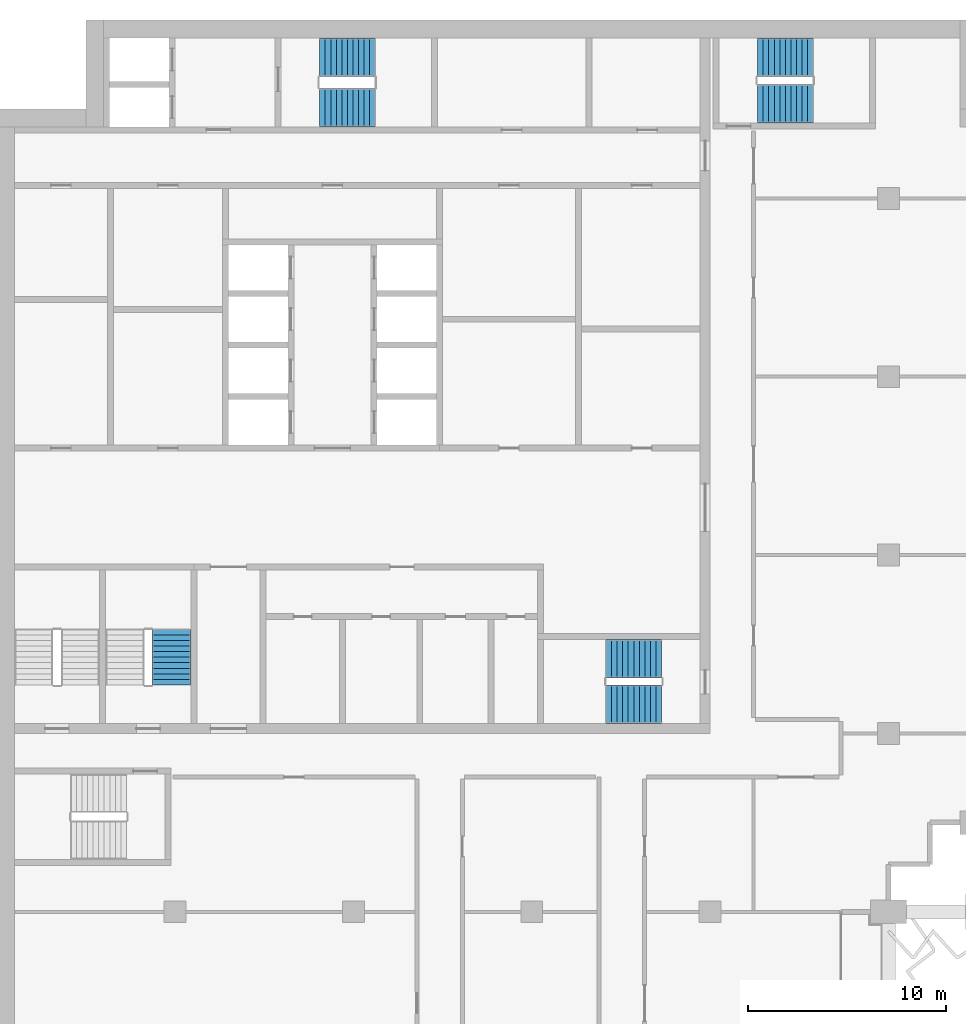
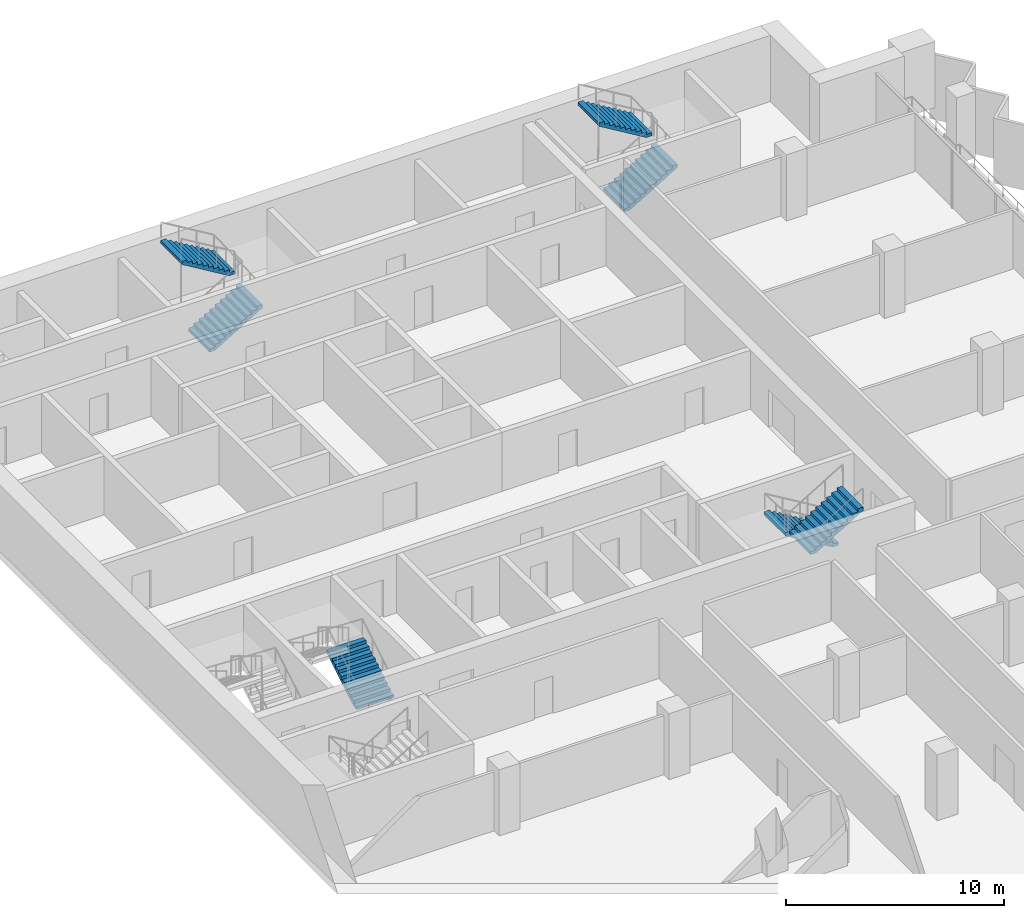
# One storey, part 13 of 17: 7 stair flights, 4 elements without a shape of their own.
"""IFC4 building model written with IfcOpenShell, lengths in metres."""

from ifc_helpers import new_model, si_unit, direction, frame, origin, place, context, subcontext, project, spatial, polyline, outline, extrude, material, type_object, element, aggregate, save


model = new_model("IFC4")

# Units and contexts
model_context = context("Model", 3, precision=1e-05, world=origin(), true_north=direction((0.0, 1.0)))
body_context = subcontext(model_context, "Body", "Model", "MODEL_VIEW")
ifc_project = project(units=[si_unit("LENGTHUNIT", "METRE"), si_unit("AREAUNIT", "SQUARE_METRE"), si_unit("VOLUMEUNIT", "CUBIC_METRE"), si_unit("PLANEANGLEUNIT", "RADIAN"), si_unit("MASSUNIT", "GRAM", prefix="KILO")], contexts=[model_context])

# Site, building, storey
site_placement = place(None, origin())
site = spatial("IfcSite", under=ifc_project, at=site_placement, CompositionType="ELEMENT")
building_placement = place(site_placement, origin())
building = spatial("IfcBuilding", under=site, at=building_placement, Name="Hunhe Ridgeline Campus", CompositionType="ELEMENT")
storey_placement = place(building_placement, frame((0.0, 0.0, 212.39990234375)))
storey = spatial("IfcBuildingStorey", under=building, at=storey_placement, Name="L54", CompositionType="ELEMENT", Elevation=212.39990234375)

# Stair, stair flights
ifc_material = material(Name="Concrete C40", Category="concrete")
stair_type = type_object("IfcStairType", Name="Reinforced concrete dog-leg stair 1950 Concrete C40", PredefinedType="HALF_TURN_STAIR", material=ifc_material)
stair_1_placement = place(storey_placement, origin())
stair_1 = element("IfcStair", 1, at=stair_1_placement, inside=storey, type_object=stair_type, Name="L54 S1", PredefinedType="HALF_TURN_STAIR")
stair_flight_type = type_object("IfcStairFlightType", Name="Reinforced concrete stair flight 1950 Concrete C40", PredefinedType="STRAIGHT", material=ifc_material)
stair_flight_1_placement = place(storey_placement, frame((16.300048828125, 94.574951171875, 0.0), z_axis=(0.0, 0.0, 1.0), x_axis=(1.0, 0.0, 0.0)))
stair_flight_1 = element("IfcStairFlight", 2, at=stair_flight_1_placement, type_object=stair_flight_type, Name="ST1 flight 1", NumberOfRisers=11, NumberOfTreads=10, PredefinedType="STRAIGHT", RiserHeight=0.168181818, TreadLength=0.28, context=body_context, shape_type="SweptSolid", body=[
    extrude(outline(polyline([(0.0, 0.0), (0.0, 0.168212890625), (0.280029296875, 0.168212890625), (0.280029296875, 0.33642578125), (0.56005859375, 0.33642578125), (0.56005859375, 0.504638671875), (0.840087890625, 0.504638671875), (0.840087890625, 0.672607421875), (1.1201171875, 0.672607421875), (1.1201171875, 0.8408203125), (1.39990234375, 0.8408203125), (1.39990234375, 1.009033203125), (1.679931640625, 1.009033203125), (1.679931640625, 1.17724609375), (1.9599609375, 1.17724609375), (1.9599609375, 1.345458984375), (2.239990234375, 1.345458984375), (2.239990234375, 1.513671875), (2.52001953125, 1.513671875), (2.52001953125, 1.681884765625), (2.800048828125, 1.681884765625), (2.800048828125, 1.85009765625), (2.800048828125, 1.5068359375), (0.291015625, 0.0), (0.0, 0.0)])), frame((0.0, 0.97509765625, 0.0), z_axis=(0.0, -1.0, 0.0), x_axis=(1.0, 0.0, 0.0)), (0.0, 0.0, 1.0), 1.949951171875),
    extrude(outline(polyline([(0.030029296875, 0.030029296875), (0.030029296875, 0.13818359375), (0.31005859375, 0.13818359375), (0.31005859375, 0.306396484375), (0.590087890625, 0.306396484375), (0.590087890625, 0.474609375), (0.8701171875, 0.474609375), (0.8701171875, 0.642578125), (1.14990234375, 0.642578125), (1.14990234375, 0.810791015625), (1.429931640625, 0.810791015625), (1.429931640625, 0.97900390625), (1.7099609375, 0.97900390625), (1.7099609375, 1.147216796875), (1.989990234375, 1.147216796875), (1.989990234375, 1.3154296875), (2.27001953125, 1.3154296875), (2.27001953125, 1.483642578125), (2.550048828125, 1.483642578125), (2.550048828125, 1.65185546875), (2.77001953125, 1.65185546875), (2.77001953125, 1.52392578125), (0.28271484375, 0.030029296875), (0.030029296875, 0.030029296875)])), frame((0.0, -0.070068359375, 0.0), z_axis=(0.0, -1.0, 0.0), x_axis=(1.0, 0.0, 0.0)), (0.0, 0.0, 1.0), 0.019775390625),
    extrude(outline(polyline([(0.030029296875, 0.030029296875), (0.030029296875, 0.13818359375), (0.31005859375, 0.13818359375), (0.31005859375, 0.306396484375), (0.590087890625, 0.306396484375), (0.590087890625, 0.474609375), (0.8701171875, 0.474609375), (0.8701171875, 0.642578125), (1.14990234375, 0.642578125), (1.14990234375, 0.810791015625), (1.429931640625, 0.810791015625), (1.429931640625, 0.97900390625), (1.7099609375, 0.97900390625), (1.7099609375, 1.147216796875), (1.989990234375, 1.147216796875), (1.989990234375, 1.3154296875), (2.27001953125, 1.3154296875), (2.27001953125, 1.483642578125), (2.550048828125, 1.483642578125), (2.550048828125, 1.65185546875), (2.77001953125, 1.65185546875), (2.77001953125, 1.52392578125), (0.28271484375, 0.030029296875), (0.030029296875, 0.030029296875)])), frame((0.0, 0.010009765625, 0.0), z_axis=(0.0, -1.0, 0.0), x_axis=(1.0, 0.0, 0.0)), (0.0, 0.0, 1.0), 0.019775390625),
    extrude(outline(polyline([(0.030029296875, 0.030029296875), (0.030029296875, 0.13818359375), (0.31005859375, 0.13818359375), (0.31005859375, 0.306396484375), (0.590087890625, 0.306396484375), (0.590087890625, 0.474609375), (0.8701171875, 0.474609375), (0.8701171875, 0.642578125), (1.14990234375, 0.642578125), (1.14990234375, 0.810791015625), (1.429931640625, 0.810791015625), (1.429931640625, 0.97900390625), (1.7099609375, 0.97900390625), (1.7099609375, 1.147216796875), (1.989990234375, 1.147216796875), (1.989990234375, 1.3154296875), (2.27001953125, 1.3154296875), (2.27001953125, 1.483642578125), (2.550048828125, 1.483642578125), (2.550048828125, 1.65185546875), (2.77001953125, 1.65185546875), (2.77001953125, 1.52392578125), (0.28271484375, 0.030029296875), (0.030029296875, 0.030029296875)])), frame((0.0, 0.090087890625, 0.0), z_axis=(0.0, -1.0, 0.0), x_axis=(1.0, 0.0, 0.0)), (0.0, 0.0, 1.0), 0.019775390625),
])
stair_flight_2_placement = place(storey_placement, frame((19.10009765625, 97.125, 1.85009765625), z_axis=(0.0, 0.0, 1.0), x_axis=(-1.0, 0.0, 0.0)))
stair_flight_2 = element("IfcStairFlight", 3, at=stair_flight_2_placement, type_object=stair_flight_type, Name="ST1 flight 2", NumberOfRisers=11, NumberOfTreads=10, PredefinedType="STRAIGHT", RiserHeight=0.168181818, TreadLength=0.28, context=body_context, shape_type="SweptSolid", body=[
    extrude(outline(polyline([(0.0, 0.0), (0.0, 0.168212890625), (0.280029296875, 0.168212890625), (0.280029296875, 0.33642578125), (0.56005859375, 0.33642578125), (0.56005859375, 0.504638671875), (0.840087890625, 0.504638671875), (0.840087890625, 0.672607421875), (1.1201171875, 0.672607421875), (1.1201171875, 0.8408203125), (1.39990234375, 0.8408203125), (1.39990234375, 1.009033203125), (1.679931640625, 1.009033203125), (1.679931640625, 1.17724609375), (1.9599609375, 1.17724609375), (1.9599609375, 1.345458984375), (2.239990234375, 1.345458984375), (2.239990234375, 1.513671875), (2.52001953125, 1.513671875), (2.52001953125, 1.681884765625), (2.800048828125, 1.681884765625), (2.800048828125, 1.85009765625), (2.800048828125, 1.5068359375), (0.291015625, 0.0), (0.0, 0.0)])), frame((0.0, 0.97509765625, 0.0), z_axis=(0.0, -1.0, 0.0), x_axis=(1.0, 0.0, 0.0)), (0.0, 0.0, 1.0), 1.949951171875),
    extrude(outline(polyline([(0.030029296875, 0.030029296875), (0.030029296875, 0.13818359375), (0.31005859375, 0.13818359375), (0.31005859375, 0.306396484375), (0.590087890625, 0.306396484375), (0.590087890625, 0.474609375), (0.8701171875, 0.474609375), (0.8701171875, 0.642578125), (1.14990234375, 0.642578125), (1.14990234375, 0.810791015625), (1.429931640625, 0.810791015625), (1.429931640625, 0.97900390625), (1.7099609375, 0.97900390625), (1.7099609375, 1.147216796875), (1.989990234375, 1.147216796875), (1.989990234375, 1.3154296875), (2.27001953125, 1.3154296875), (2.27001953125, 1.483642578125), (2.550048828125, 1.483642578125), (2.550048828125, 1.65185546875), (2.77001953125, 1.65185546875), (2.77001953125, 1.52392578125), (0.28271484375, 0.030029296875), (0.030029296875, 0.030029296875)])), frame((0.0, -0.070068359375, 0.0), z_axis=(0.0, -1.0, 0.0), x_axis=(1.0, 0.0, 0.0)), (0.0, 0.0, 1.0), 0.019775390625),
    extrude(outline(polyline([(0.030029296875, 0.030029296875), (0.030029296875, 0.13818359375), (0.31005859375, 0.13818359375), (0.31005859375, 0.306396484375), (0.590087890625, 0.306396484375), (0.590087890625, 0.474609375), (0.8701171875, 0.474609375), (0.8701171875, 0.642578125), (1.14990234375, 0.642578125), (1.14990234375, 0.810791015625), (1.429931640625, 0.810791015625), (1.429931640625, 0.97900390625), (1.7099609375, 0.97900390625), (1.7099609375, 1.147216796875), (1.989990234375, 1.147216796875), (1.989990234375, 1.3154296875), (2.27001953125, 1.3154296875), (2.27001953125, 1.483642578125), (2.550048828125, 1.483642578125), (2.550048828125, 1.65185546875), (2.77001953125, 1.65185546875), (2.77001953125, 1.52392578125), (0.28271484375, 0.030029296875), (0.030029296875, 0.030029296875)])), frame((0.0, 0.010009765625, 0.0), z_axis=(0.0, -1.0, 0.0), x_axis=(1.0, 0.0, 0.0)), (0.0, 0.0, 1.0), 0.019775390625),
    extrude(outline(polyline([(0.030029296875, 0.030029296875), (0.030029296875, 0.13818359375), (0.31005859375, 0.13818359375), (0.31005859375, 0.306396484375), (0.590087890625, 0.306396484375), (0.590087890625, 0.474609375), (0.8701171875, 0.474609375), (0.8701171875, 0.642578125), (1.14990234375, 0.642578125), (1.14990234375, 0.810791015625), (1.429931640625, 0.810791015625), (1.429931640625, 0.97900390625), (1.7099609375, 0.97900390625), (1.7099609375, 1.147216796875), (1.989990234375, 1.147216796875), (1.989990234375, 1.3154296875), (2.27001953125, 1.3154296875), (2.27001953125, 1.483642578125), (2.550048828125, 1.483642578125), (2.550048828125, 1.65185546875), (2.77001953125, 1.65185546875), (2.77001953125, 1.52392578125), (0.28271484375, 0.030029296875), (0.030029296875, 0.030029296875)])), frame((0.0, 0.090087890625, 0.0), z_axis=(0.0, -1.0, 0.0), x_axis=(1.0, 0.0, 0.0)), (0.0, 0.0, 1.0), 0.019775390625),
])
aggregate(stair_1, [stair_flight_1, stair_flight_2])

stair_2_placement = place(storey_placement, origin())
stair_2 = element("IfcStair", 4, at=stair_2_placement, inside=storey, type_object=stair_type, Name="L54 S2", PredefinedType="HALF_TURN_STAIR")
stair_flight_3_placement = place(storey_placement, frame((33.550048828125, 66.77490234375, 0.0), z_axis=(0.0, 0.0, 1.0), x_axis=(-1.0, 0.0, 0.0)))
stair_flight_3 = element("IfcStairFlight", 5, at=stair_flight_3_placement, type_object=stair_flight_type, Name="ST2 flight 1", NumberOfRisers=11, NumberOfTreads=10, PredefinedType="STRAIGHT", RiserHeight=0.168181818, TreadLength=0.28, context=body_context, shape_type="SweptSolid", body=[
    extrude(outline(polyline([(0.0, 0.0), (0.0, 0.168212890625), (0.280029296875, 0.168212890625), (0.280029296875, 0.33642578125), (0.56005859375, 0.33642578125), (0.56005859375, 0.504638671875), (0.840087890625, 0.504638671875), (0.840087890625, 0.672607421875), (1.1201171875, 0.672607421875), (1.1201171875, 0.8408203125), (1.39990234375, 0.8408203125), (1.39990234375, 1.009033203125), (1.679931640625, 1.009033203125), (1.679931640625, 1.17724609375), (1.9599609375, 1.17724609375), (1.9599609375, 1.345458984375), (2.239990234375, 1.345458984375), (2.239990234375, 1.513671875), (2.52001953125, 1.513671875), (2.52001953125, 1.681884765625), (2.800048828125, 1.681884765625), (2.800048828125, 1.85009765625), (2.800048828125, 1.5068359375), (0.291015625, 0.0), (0.0, 0.0)])), frame((0.0, 0.97509765625, 0.0), z_axis=(0.0, -1.0, 0.0), x_axis=(1.0, 0.0, 0.0)), (0.0, 0.0, 1.0), 1.949951171875),
    extrude(outline(polyline([(0.030029296875, 0.030029296875), (0.030029296875, 0.13818359375), (0.31005859375, 0.13818359375), (0.31005859375, 0.306396484375), (0.590087890625, 0.306396484375), (0.590087890625, 0.474609375), (0.8701171875, 0.474609375), (0.8701171875, 0.642578125), (1.14990234375, 0.642578125), (1.14990234375, 0.810791015625), (1.429931640625, 0.810791015625), (1.429931640625, 0.97900390625), (1.7099609375, 0.97900390625), (1.7099609375, 1.147216796875), (1.989990234375, 1.147216796875), (1.989990234375, 1.3154296875), (2.27001953125, 1.3154296875), (2.27001953125, 1.483642578125), (2.550048828125, 1.483642578125), (2.550048828125, 1.65185546875), (2.77001953125, 1.65185546875), (2.77001953125, 1.52392578125), (0.28271484375, 0.030029296875), (0.030029296875, 0.030029296875)])), frame((0.0, -0.070068359375, 0.0), z_axis=(0.0, -1.0, 0.0), x_axis=(1.0, 0.0, 0.0)), (0.0, 0.0, 1.0), 0.019775390625),
    extrude(outline(polyline([(0.030029296875, 0.030029296875), (0.030029296875, 0.13818359375), (0.31005859375, 0.13818359375), (0.31005859375, 0.306396484375), (0.590087890625, 0.306396484375), (0.590087890625, 0.474609375), (0.8701171875, 0.474609375), (0.8701171875, 0.642578125), (1.14990234375, 0.642578125), (1.14990234375, 0.810791015625), (1.429931640625, 0.810791015625), (1.429931640625, 0.97900390625), (1.7099609375, 0.97900390625), (1.7099609375, 1.147216796875), (1.989990234375, 1.147216796875), (1.989990234375, 1.3154296875), (2.27001953125, 1.3154296875), (2.27001953125, 1.483642578125), (2.550048828125, 1.483642578125), (2.550048828125, 1.65185546875), (2.77001953125, 1.65185546875), (2.77001953125, 1.52392578125), (0.28271484375, 0.030029296875), (0.030029296875, 0.030029296875)])), frame((0.0, 0.010009765625, 0.0), z_axis=(0.0, -1.0, 0.0), x_axis=(1.0, 0.0, 0.0)), (0.0, 0.0, 1.0), 0.019775390625),
    extrude(outline(polyline([(0.030029296875, 0.030029296875), (0.030029296875, 0.13818359375), (0.31005859375, 0.13818359375), (0.31005859375, 0.306396484375), (0.590087890625, 0.306396484375), (0.590087890625, 0.474609375), (0.8701171875, 0.474609375), (0.8701171875, 0.642578125), (1.14990234375, 0.642578125), (1.14990234375, 0.810791015625), (1.429931640625, 0.810791015625), (1.429931640625, 0.97900390625), (1.7099609375, 0.97900390625), (1.7099609375, 1.147216796875), (1.989990234375, 1.147216796875), (1.989990234375, 1.3154296875), (2.27001953125, 1.3154296875), (2.27001953125, 1.483642578125), (2.550048828125, 1.483642578125), (2.550048828125, 1.65185546875), (2.77001953125, 1.65185546875), (2.77001953125, 1.52392578125), (0.28271484375, 0.030029296875), (0.030029296875, 0.030029296875)])), frame((0.0, 0.090087890625, 0.0), z_axis=(0.0, -1.0, 0.0), x_axis=(1.0, 0.0, 0.0)), (0.0, 0.0, 1.0), 0.019775390625),
])
stair_flight_4_placement = place(storey_placement, frame((30.75, 64.47509765625, 1.85009765625), z_axis=(0.0, 0.0, 1.0), x_axis=(1.0, 0.0, 0.0)))
stair_flight_4 = element("IfcStairFlight", 6, at=stair_flight_4_placement, type_object=stair_flight_type, Name="ST2 flight 2", NumberOfRisers=11, NumberOfTreads=10, PredefinedType="STRAIGHT", RiserHeight=0.168181818, TreadLength=0.28, context=body_context, shape_type="SweptSolid", body=[
    extrude(outline(polyline([(0.0, 0.0), (0.0, 0.168212890625), (0.280029296875, 0.168212890625), (0.280029296875, 0.33642578125), (0.56005859375, 0.33642578125), (0.56005859375, 0.504638671875), (0.840087890625, 0.504638671875), (0.840087890625, 0.672607421875), (1.1201171875, 0.672607421875), (1.1201171875, 0.8408203125), (1.39990234375, 0.8408203125), (1.39990234375, 1.009033203125), (1.679931640625, 1.009033203125), (1.679931640625, 1.17724609375), (1.9599609375, 1.17724609375), (1.9599609375, 1.345458984375), (2.239990234375, 1.345458984375), (2.239990234375, 1.513671875), (2.52001953125, 1.513671875), (2.52001953125, 1.681884765625), (2.800048828125, 1.681884765625), (2.800048828125, 1.85009765625), (2.800048828125, 1.5068359375), (0.291015625, 0.0), (0.0, 0.0)])), frame((0.0, 0.97509765625, 0.0), z_axis=(0.0, -1.0, 0.0), x_axis=(1.0, 0.0, 0.0)), (0.0, 0.0, 1.0), 1.949951171875),
    extrude(outline(polyline([(0.030029296875, 0.030029296875), (0.030029296875, 0.13818359375), (0.31005859375, 0.13818359375), (0.31005859375, 0.306396484375), (0.590087890625, 0.306396484375), (0.590087890625, 0.474609375), (0.8701171875, 0.474609375), (0.8701171875, 0.642578125), (1.14990234375, 0.642578125), (1.14990234375, 0.810791015625), (1.429931640625, 0.810791015625), (1.429931640625, 0.97900390625), (1.7099609375, 0.97900390625), (1.7099609375, 1.147216796875), (1.989990234375, 1.147216796875), (1.989990234375, 1.3154296875), (2.27001953125, 1.3154296875), (2.27001953125, 1.483642578125), (2.550048828125, 1.483642578125), (2.550048828125, 1.65185546875), (2.77001953125, 1.65185546875), (2.77001953125, 1.52392578125), (0.28271484375, 0.030029296875), (0.030029296875, 0.030029296875)])), frame((0.0, -0.070068359375, 0.0), z_axis=(0.0, -1.0, 0.0), x_axis=(1.0, 0.0, 0.0)), (0.0, 0.0, 1.0), 0.019775390625),
    extrude(outline(polyline([(0.030029296875, 0.030029296875), (0.030029296875, 0.13818359375), (0.31005859375, 0.13818359375), (0.31005859375, 0.306396484375), (0.590087890625, 0.306396484375), (0.590087890625, 0.474609375), (0.8701171875, 0.474609375), (0.8701171875, 0.642578125), (1.14990234375, 0.642578125), (1.14990234375, 0.810791015625), (1.429931640625, 0.810791015625), (1.429931640625, 0.97900390625), (1.7099609375, 0.97900390625), (1.7099609375, 1.147216796875), (1.989990234375, 1.147216796875), (1.989990234375, 1.3154296875), (2.27001953125, 1.3154296875), (2.27001953125, 1.483642578125), (2.550048828125, 1.483642578125), (2.550048828125, 1.65185546875), (2.77001953125, 1.65185546875), (2.77001953125, 1.52392578125), (0.28271484375, 0.030029296875), (0.030029296875, 0.030029296875)])), frame((0.0, 0.010009765625, 0.0), z_axis=(0.0, -1.0, 0.0), x_axis=(1.0, 0.0, 0.0)), (0.0, 0.0, 1.0), 0.019775390625),
    extrude(outline(polyline([(0.030029296875, 0.030029296875), (0.030029296875, 0.13818359375), (0.31005859375, 0.13818359375), (0.31005859375, 0.306396484375), (0.590087890625, 0.306396484375), (0.590087890625, 0.474609375), (0.8701171875, 0.474609375), (0.8701171875, 0.642578125), (1.14990234375, 0.642578125), (1.14990234375, 0.810791015625), (1.429931640625, 0.810791015625), (1.429931640625, 0.97900390625), (1.7099609375, 0.97900390625), (1.7099609375, 1.147216796875), (1.989990234375, 1.147216796875), (1.989990234375, 1.3154296875), (2.27001953125, 1.3154296875), (2.27001953125, 1.483642578125), (2.550048828125, 1.483642578125), (2.550048828125, 1.65185546875), (2.77001953125, 1.65185546875), (2.77001953125, 1.52392578125), (0.28271484375, 0.030029296875), (0.030029296875, 0.030029296875)])), frame((0.0, 0.090087890625, 0.0), z_axis=(0.0, -1.0, 0.0), x_axis=(1.0, 0.0, 0.0)), (0.0, 0.0, 1.0), 0.019775390625),
])
aggregate(stair_2, [stair_flight_3, stair_flight_4])

# Stair, stair flight
stair_3_placement = place(storey_placement, origin())
stair_3 = element("IfcStair", 7, at=stair_3_placement, inside=storey, type_object=stair_type, Name="L54 S4", PredefinedType="HALF_TURN_STAIR")
stair_flight_5_placement = place(storey_placement, frame((8.824951171875, 65.449951171875, 0.0), z_axis=(0.0, 0.0, 1.0), x_axis=(0.0, 1.0, 0.0)))
stair_flight_5 = element("IfcStairFlight", 8, at=stair_flight_5_placement, type_object=stair_flight_type, Name="ST4 flight 1", NumberOfRisers=11, NumberOfTreads=10, PredefinedType="STRAIGHT", RiserHeight=0.168181818, TreadLength=0.28, context=body_context, shape_type="SweptSolid", body=[
    extrude(outline(polyline([(0.0, 0.0), (0.0, 0.168212890625), (0.280029296875, 0.168212890625), (0.280029296875, 0.33642578125), (0.56005859375, 0.33642578125), (0.56005859375, 0.504638671875), (0.840087890625, 0.504638671875), (0.840087890625, 0.672607421875), (1.1201171875, 0.672607421875), (1.1201171875, 0.8408203125), (1.39990234375, 0.8408203125), (1.39990234375, 1.009033203125), (1.679931640625, 1.009033203125), (1.679931640625, 1.17724609375), (1.9599609375, 1.17724609375), (1.9599609375, 1.345458984375), (2.239990234375, 1.345458984375), (2.239990234375, 1.513671875), (2.52001953125, 1.513671875), (2.52001953125, 1.681884765625), (2.800048828125, 1.681884765625), (2.800048828125, 1.85009765625), (2.800048828125, 1.5068359375), (0.291015625, 0.0), (0.0, 0.0)])), frame((0.0, 0.97509765625, 0.0), z_axis=(0.0, -1.0, 0.0), x_axis=(1.0, 0.0, 0.0)), (0.0, 0.0, 1.0), 1.949951171875),
    extrude(outline(polyline([(0.030029296875, 0.030029296875), (0.030029296875, 0.13818359375), (0.31005859375, 0.13818359375), (0.31005859375, 0.306396484375), (0.590087890625, 0.306396484375), (0.590087890625, 0.474609375), (0.8701171875, 0.474609375), (0.8701171875, 0.642578125), (1.14990234375, 0.642578125), (1.14990234375, 0.810791015625), (1.429931640625, 0.810791015625), (1.429931640625, 0.97900390625), (1.7099609375, 0.97900390625), (1.7099609375, 1.147216796875), (1.989990234375, 1.147216796875), (1.989990234375, 1.3154296875), (2.27001953125, 1.3154296875), (2.27001953125, 1.483642578125), (2.550048828125, 1.483642578125), (2.550048828125, 1.65185546875), (2.77001953125, 1.65185546875), (2.77001953125, 1.52392578125), (0.28271484375, 0.030029296875), (0.030029296875, 0.030029296875)])), frame((0.0, -0.070068359375, 0.0), z_axis=(0.0, -1.0, 0.0), x_axis=(1.0, 0.0, 0.0)), (0.0, 0.0, 1.0), 0.019775390625),
    extrude(outline(polyline([(0.030029296875, 0.030029296875), (0.030029296875, 0.13818359375), (0.31005859375, 0.13818359375), (0.31005859375, 0.306396484375), (0.590087890625, 0.306396484375), (0.590087890625, 0.474609375), (0.8701171875, 0.474609375), (0.8701171875, 0.642578125), (1.14990234375, 0.642578125), (1.14990234375, 0.810791015625), (1.429931640625, 0.810791015625), (1.429931640625, 0.97900390625), (1.7099609375, 0.97900390625), (1.7099609375, 1.147216796875), (1.989990234375, 1.147216796875), (1.989990234375, 1.3154296875), (2.27001953125, 1.3154296875), (2.27001953125, 1.483642578125), (2.550048828125, 1.483642578125), (2.550048828125, 1.65185546875), (2.77001953125, 1.65185546875), (2.77001953125, 1.52392578125), (0.28271484375, 0.030029296875), (0.030029296875, 0.030029296875)])), frame((0.0, 0.010009765625, 0.0), z_axis=(0.0, -1.0, 0.0), x_axis=(1.0, 0.0, 0.0)), (0.0, 0.0, 1.0), 0.019775390625),
    extrude(outline(polyline([(0.030029296875, 0.030029296875), (0.030029296875, 0.13818359375), (0.31005859375, 0.13818359375), (0.31005859375, 0.306396484375), (0.590087890625, 0.306396484375), (0.590087890625, 0.474609375), (0.8701171875, 0.474609375), (0.8701171875, 0.642578125), (1.14990234375, 0.642578125), (1.14990234375, 0.810791015625), (1.429931640625, 0.810791015625), (1.429931640625, 0.97900390625), (1.7099609375, 0.97900390625), (1.7099609375, 1.147216796875), (1.989990234375, 1.147216796875), (1.989990234375, 1.3154296875), (2.27001953125, 1.3154296875), (2.27001953125, 1.483642578125), (2.550048828125, 1.483642578125), (2.550048828125, 1.65185546875), (2.77001953125, 1.65185546875), (2.77001953125, 1.52392578125), (0.28271484375, 0.030029296875), (0.030029296875, 0.030029296875)])), frame((0.0, 0.090087890625, 0.0), z_axis=(0.0, -1.0, 0.0), x_axis=(1.0, 0.0, 0.0)), (0.0, 0.0, 1.0), 0.019775390625),
])
aggregate(stair_3, [stair_flight_5])

# Stair, stair flights
stair_4_placement = place(storey_placement, origin())
stair_4 = element("IfcStair", 9, at=stair_4_placement, inside=storey, type_object=stair_type, Name="L54 E1", PredefinedType="HALF_TURN_STAIR")
stair_flight_6_placement = place(storey_placement, frame((38.39990234375, 94.77490234375, 0.0), z_axis=(0.0, 0.0, 1.0), x_axis=(1.0, 0.0, 0.0)))
stair_flight_6 = element("IfcStairFlight", 10, at=stair_flight_6_placement, type_object=stair_flight_type, Name="ST5 flight 1", NumberOfRisers=11, NumberOfTreads=10, PredefinedType="STRAIGHT", RiserHeight=0.168181818, TreadLength=0.28, context=body_context, shape_type="SweptSolid", body=[
    extrude(outline(polyline([(0.0, 0.0), (0.0, 0.168212890625), (0.280029296875, 0.168212890625), (0.280029296875, 0.33642578125), (0.56005859375, 0.33642578125), (0.56005859375, 0.504638671875), (0.840087890625, 0.504638671875), (0.840087890625, 0.672607421875), (1.1201171875, 0.672607421875), (1.1201171875, 0.8408203125), (1.39990234375, 0.8408203125), (1.39990234375, 1.009033203125), (1.679931640625, 1.009033203125), (1.679931640625, 1.17724609375), (1.9599609375, 1.17724609375), (1.9599609375, 1.345458984375), (2.239990234375, 1.345458984375), (2.239990234375, 1.513671875), (2.52001953125, 1.513671875), (2.52001953125, 1.681884765625), (2.800048828125, 1.681884765625), (2.800048828125, 1.85009765625), (2.800048828125, 1.5068359375), (0.291015625, 0.0), (0.0, 0.0)])), frame((0.0, 0.97509765625, 0.0), z_axis=(0.0, -1.0, 0.0), x_axis=(1.0, 0.0, 0.0)), (0.0, 0.0, 1.0), 1.949951171875),
    extrude(outline(polyline([(0.030029296875, 0.030029296875), (0.030029296875, 0.13818359375), (0.31005859375, 0.13818359375), (0.31005859375, 0.306396484375), (0.590087890625, 0.306396484375), (0.590087890625, 0.474609375), (0.8701171875, 0.474609375), (0.8701171875, 0.642578125), (1.14990234375, 0.642578125), (1.14990234375, 0.810791015625), (1.429931640625, 0.810791015625), (1.429931640625, 0.97900390625), (1.7099609375, 0.97900390625), (1.7099609375, 1.147216796875), (1.989990234375, 1.147216796875), (1.989990234375, 1.3154296875), (2.27001953125, 1.3154296875), (2.27001953125, 1.483642578125), (2.550048828125, 1.483642578125), (2.550048828125, 1.65185546875), (2.77001953125, 1.65185546875), (2.77001953125, 1.52392578125), (0.28271484375, 0.030029296875), (0.030029296875, 0.030029296875)])), frame((0.0, -0.070068359375, 0.0), z_axis=(0.0, -1.0, 0.0), x_axis=(1.0, 0.0, 0.0)), (0.0, 0.0, 1.0), 0.019775390625),
    extrude(outline(polyline([(0.030029296875, 0.030029296875), (0.030029296875, 0.13818359375), (0.31005859375, 0.13818359375), (0.31005859375, 0.306396484375), (0.590087890625, 0.306396484375), (0.590087890625, 0.474609375), (0.8701171875, 0.474609375), (0.8701171875, 0.642578125), (1.14990234375, 0.642578125), (1.14990234375, 0.810791015625), (1.429931640625, 0.810791015625), (1.429931640625, 0.97900390625), (1.7099609375, 0.97900390625), (1.7099609375, 1.147216796875), (1.989990234375, 1.147216796875), (1.989990234375, 1.3154296875), (2.27001953125, 1.3154296875), (2.27001953125, 1.483642578125), (2.550048828125, 1.483642578125), (2.550048828125, 1.65185546875), (2.77001953125, 1.65185546875), (2.77001953125, 1.52392578125), (0.28271484375, 0.030029296875), (0.030029296875, 0.030029296875)])), frame((0.0, 0.010009765625, 0.0), z_axis=(0.0, -1.0, 0.0), x_axis=(1.0, 0.0, 0.0)), (0.0, 0.0, 1.0), 0.019775390625),
    extrude(outline(polyline([(0.030029296875, 0.030029296875), (0.030029296875, 0.13818359375), (0.31005859375, 0.13818359375), (0.31005859375, 0.306396484375), (0.590087890625, 0.306396484375), (0.590087890625, 0.474609375), (0.8701171875, 0.474609375), (0.8701171875, 0.642578125), (1.14990234375, 0.642578125), (1.14990234375, 0.810791015625), (1.429931640625, 0.810791015625), (1.429931640625, 0.97900390625), (1.7099609375, 0.97900390625), (1.7099609375, 1.147216796875), (1.989990234375, 1.147216796875), (1.989990234375, 1.3154296875), (2.27001953125, 1.3154296875), (2.27001953125, 1.483642578125), (2.550048828125, 1.483642578125), (2.550048828125, 1.65185546875), (2.77001953125, 1.65185546875), (2.77001953125, 1.52392578125), (0.28271484375, 0.030029296875), (0.030029296875, 0.030029296875)])), frame((0.0, 0.090087890625, 0.0), z_axis=(0.0, -1.0, 0.0), x_axis=(1.0, 0.0, 0.0)), (0.0, 0.0, 1.0), 0.019775390625),
])
stair_flight_7_placement = place(storey_placement, frame((41.199951171875, 97.125, 1.85009765625), z_axis=(0.0, 0.0, 1.0), x_axis=(-1.0, 0.0, 0.0)))
stair_flight_7 = element("IfcStairFlight", 11, at=stair_flight_7_placement, type_object=stair_flight_type, Name="ST5 flight 2", NumberOfRisers=11, NumberOfTreads=10, PredefinedType="STRAIGHT", RiserHeight=0.168181818, TreadLength=0.28, context=body_context, shape_type="SweptSolid", body=[
    extrude(outline(polyline([(0.0, 0.0), (0.0, 0.168212890625), (0.280029296875, 0.168212890625), (0.280029296875, 0.33642578125), (0.56005859375, 0.33642578125), (0.56005859375, 0.504638671875), (0.840087890625, 0.504638671875), (0.840087890625, 0.672607421875), (1.1201171875, 0.672607421875), (1.1201171875, 0.8408203125), (1.39990234375, 0.8408203125), (1.39990234375, 1.009033203125), (1.679931640625, 1.009033203125), (1.679931640625, 1.17724609375), (1.9599609375, 1.17724609375), (1.9599609375, 1.345458984375), (2.239990234375, 1.345458984375), (2.239990234375, 1.513671875), (2.52001953125, 1.513671875), (2.52001953125, 1.681884765625), (2.800048828125, 1.681884765625), (2.800048828125, 1.85009765625), (2.800048828125, 1.5068359375), (0.291015625, 0.0), (0.0, 0.0)])), frame((0.0, 0.97509765625, 0.0), z_axis=(0.0, -1.0, 0.0), x_axis=(1.0, 0.0, 0.0)), (0.0, 0.0, 1.0), 1.949951171875),
    extrude(outline(polyline([(0.030029296875, 0.030029296875), (0.030029296875, 0.13818359375), (0.31005859375, 0.13818359375), (0.31005859375, 0.306396484375), (0.590087890625, 0.306396484375), (0.590087890625, 0.474609375), (0.8701171875, 0.474609375), (0.8701171875, 0.642578125), (1.14990234375, 0.642578125), (1.14990234375, 0.810791015625), (1.429931640625, 0.810791015625), (1.429931640625, 0.97900390625), (1.7099609375, 0.97900390625), (1.7099609375, 1.147216796875), (1.989990234375, 1.147216796875), (1.989990234375, 1.3154296875), (2.27001953125, 1.3154296875), (2.27001953125, 1.483642578125), (2.550048828125, 1.483642578125), (2.550048828125, 1.65185546875), (2.77001953125, 1.65185546875), (2.77001953125, 1.52392578125), (0.28271484375, 0.030029296875), (0.030029296875, 0.030029296875)])), frame((0.0, -0.070068359375, 0.0), z_axis=(0.0, -1.0, 0.0), x_axis=(1.0, 0.0, 0.0)), (0.0, 0.0, 1.0), 0.019775390625),
    extrude(outline(polyline([(0.030029296875, 0.030029296875), (0.030029296875, 0.13818359375), (0.31005859375, 0.13818359375), (0.31005859375, 0.306396484375), (0.590087890625, 0.306396484375), (0.590087890625, 0.474609375), (0.8701171875, 0.474609375), (0.8701171875, 0.642578125), (1.14990234375, 0.642578125), (1.14990234375, 0.810791015625), (1.429931640625, 0.810791015625), (1.429931640625, 0.97900390625), (1.7099609375, 0.97900390625), (1.7099609375, 1.147216796875), (1.989990234375, 1.147216796875), (1.989990234375, 1.3154296875), (2.27001953125, 1.3154296875), (2.27001953125, 1.483642578125), (2.550048828125, 1.483642578125), (2.550048828125, 1.65185546875), (2.77001953125, 1.65185546875), (2.77001953125, 1.52392578125), (0.28271484375, 0.030029296875), (0.030029296875, 0.030029296875)])), frame((0.0, 0.010009765625, 0.0), z_axis=(0.0, -1.0, 0.0), x_axis=(1.0, 0.0, 0.0)), (0.0, 0.0, 1.0), 0.019775390625),
    extrude(outline(polyline([(0.030029296875, 0.030029296875), (0.030029296875, 0.13818359375), (0.31005859375, 0.13818359375), (0.31005859375, 0.306396484375), (0.590087890625, 0.306396484375), (0.590087890625, 0.474609375), (0.8701171875, 0.474609375), (0.8701171875, 0.642578125), (1.14990234375, 0.642578125), (1.14990234375, 0.810791015625), (1.429931640625, 0.810791015625), (1.429931640625, 0.97900390625), (1.7099609375, 0.97900390625), (1.7099609375, 1.147216796875), (1.989990234375, 1.147216796875), (1.989990234375, 1.3154296875), (2.27001953125, 1.3154296875), (2.27001953125, 1.483642578125), (2.550048828125, 1.483642578125), (2.550048828125, 1.65185546875), (2.77001953125, 1.65185546875), (2.77001953125, 1.52392578125), (0.28271484375, 0.030029296875), (0.030029296875, 0.030029296875)])), frame((0.0, 0.090087890625, 0.0), z_axis=(0.0, -1.0, 0.0), x_axis=(1.0, 0.0, 0.0)), (0.0, 0.0, 1.0), 0.019775390625),
])
aggregate(stair_4, [stair_flight_6, stair_flight_7])

save(model, "model.ifc")
